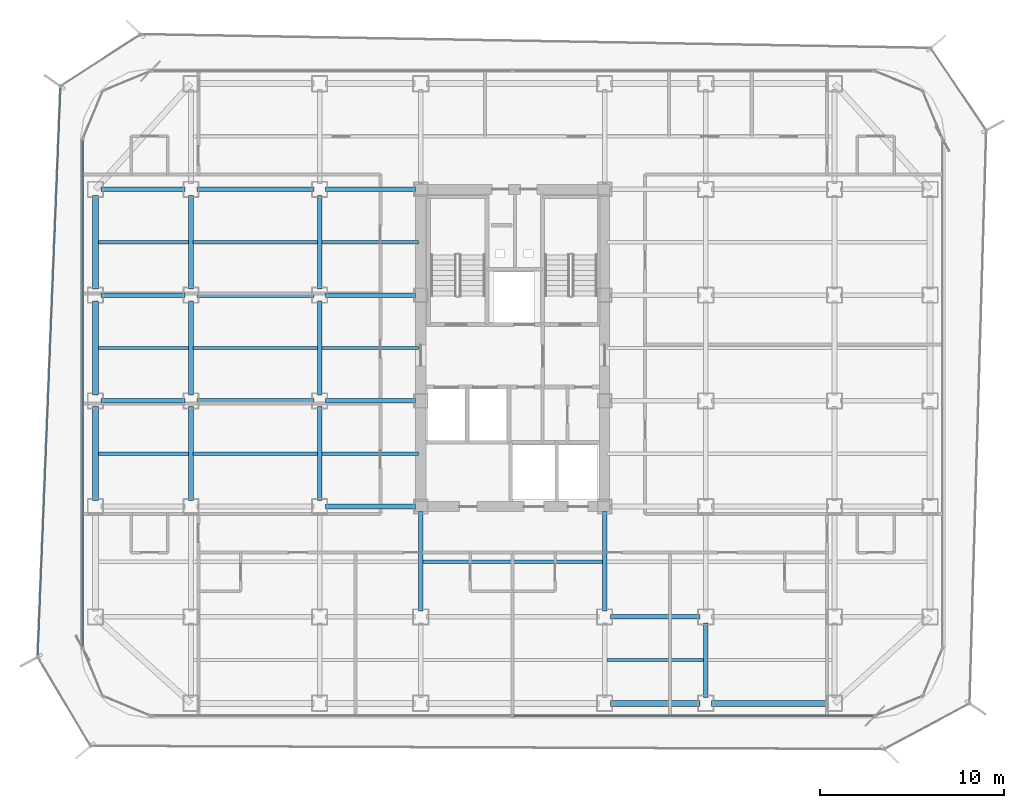
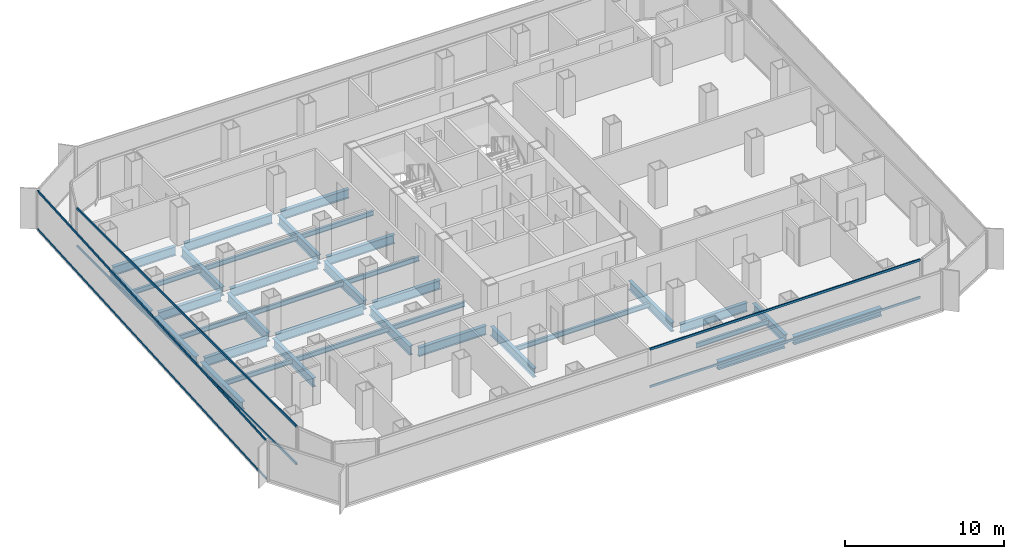
# One storey, part 5 of 21: 36 beams, 6 members, 3 elements without a shape of their own.
"""IFC4 building model written with IfcOpenShell, lengths in metres."""

from ifc_helpers import new_model, si_unit, direction, frame, origin, origin_2d, place, context, subcontext, project, spatial, hollow_rectangle, i_section, extrude, source, transform, mapped, material, layer, layer_set, material_profile, profile_set, type_object, element, aggregate, save


model = new_model("IFC4")

# Units and contexts
model_context = context("Model", 3, precision=1e-05, world=origin(), true_north=direction((0.0, 1.0)))
body_context = subcontext(model_context, "Body", "Model", "MODEL_VIEW")
ifc_project = project(units=[si_unit("LENGTHUNIT", "METRE"), si_unit("AREAUNIT", "SQUARE_METRE"), si_unit("VOLUMEUNIT", "CUBIC_METRE"), si_unit("PLANEANGLEUNIT", "RADIAN"), si_unit("MASSUNIT", "GRAM", prefix="KILO")], contexts=[model_context])

# Site, building, storey
site_placement = place(None, origin())
site = spatial("IfcSite", under=ifc_project, at=site_placement, CompositionType="ELEMENT")
building_placement = place(site_placement, origin())
building = spatial("IfcBuilding", under=site, at=building_placement, Name="Kolveth Station Tower", CompositionType="ELEMENT")
storey_placement = place(building_placement, frame((0.0, 0.0, 108.699951171875)))
storey = spatial("IfcBuildingStorey", under=building, at=storey_placement, Name="L29", CompositionType="ELEMENT", Elevation=108.699951171875)

# Beams
ifc_material_1 = material(Name="Steel S355", Category="steel")
ifc_material_profile_1 = material_profile(ifc_material_1, i_section(OverallWidth=0.323974609375, OverallDepth=0.611083984375, WebThickness=0.0126953125, FlangeThickness=0.01904296875, at=origin_2d()), Name="W610x155")
ifc_profile_set_1 = profile_set([ifc_material_profile_1], Name="Steel S355")
beam_type_1 = type_object("IfcBeamType", Name="Beam_SP2", PredefinedType="SPANDREL", material=ifc_profile_set_1)
shared_shape_1 = source(origin(), body_context, "Body", "SweptSolid", [
    extrude(i_section(OverallWidth=0.323974609375, OverallDepth=0.611083984375, WebThickness=0.0126953125, FlangeThickness=0.01904296875, at=origin_2d()), origin(), (0.0, 0.0, 1.0), 6.35986328125),
])
beam_1_placement = place(storey_placement, frame((34.320068359375, 0.800048828125, -0.555419921875), z_axis=(1.0, 0.0, 0.0), x_axis=(0.0, 1.0, 0.0)))
element("IfcBeam", 1, at=beam_1_placement, inside=storey, type_object=beam_type_1, Name="L29 Perimeter Spandrel BM-L29-PS-5", PredefinedType="SPANDREL", context=body_context, shape_type="MappedRepresentation", body=[
    mapped(shared_shape_1, transform((0.0, 0.0, 0.0), x_axis=(1.0, 0.0, 0.0), y_axis=(0.0, 1.0, 0.0), z_axis=(0.0, 0.0, 1.0), scale=1.0)),
])
shared_shape_2 = source(origin(), body_context, "Body", "SweptSolid", [
    extrude(i_section(OverallWidth=0.323974609375, OverallDepth=0.611083984375, WebThickness=0.0126953125, FlangeThickness=0.01904296875, at=origin_2d()), origin(), (0.0, 0.0, 1.0), 4.85986328125),
])
beam_2_placement = place(storey_placement, frame((28.820068359375, 0.800048828125, -0.555419921875), z_axis=(1.0, 0.0, 0.0), x_axis=(0.0, 1.0, 0.0)))
element("IfcBeam", 2, at=beam_2_placement, inside=storey, type_object=beam_type_1, Name="L29 Perimeter Spandrel BM-L29-PS-4", PredefinedType="SPANDREL", context=body_context, shape_type="MappedRepresentation", body=[
    mapped(shared_shape_2, transform((0.0, 0.0, 0.0), x_axis=(1.0, 0.0, 0.0), y_axis=(0.0, 1.0, 0.0), z_axis=(0.0, 0.0, 1.0), scale=1.0)),
])
shared_shape_3 = source(origin(), body_context, "Body", "SweptSolid", [
    extrude(i_section(OverallWidth=0.323974609375, OverallDepth=0.611083984375, WebThickness=0.0126953125, FlangeThickness=0.01904296875, at=origin_2d()), origin(), (0.0, 0.0, 1.0), 5.10986328125),
])
for number, where, z_axis, x_axis, name in (
    (3, (0.800048828125, 11.820068359375, -0.555419921875), (0.0, 1.0, 0.0), (-1.0, 0.0, 0.0), "L29 Perimeter Spandrel BM-L29-PW-2"),
    (4, (0.800048828125, 17.570068359375, -0.555419921875), (0.0, 1.0, 0.0), (-1.0, 0.0, 0.0), "L29 Perimeter Spandrel BM-L29-PW-3"),
    (5, (0.800048828125, 23.320068359375, -0.555419921875), (0.0, 1.0, 0.0), (-1.0, 0.0, 0.0), "L29 Perimeter Spandrel BM-L29-PW-4"),
):
    element("IfcBeam", number, at=place(storey_placement, frame(where, z_axis=z_axis, x_axis=x_axis)), inside=storey, type_object=beam_type_1, Name=name, PredefinedType="SPANDREL", context=body_context, shape_type="MappedRepresentation", body=[
        mapped(shared_shape_3, transform((0.0, 0.0, 0.0), x_axis=(1.0, 0.0, 0.0), y_axis=(0.0, 1.0, 0.0), z_axis=(0.0, 0.0, 1.0), scale=1.0)),
    ])
ifc_material_profile_2 = material_profile(ifc_material_1, i_section(OverallWidth=0.25390625, OverallDepth=0.68798828125, WebThickness=0.01318359375, FlangeThickness=0.02099609375, at=origin_2d()), Name="W690x152")
ifc_profile_set_2 = profile_set([ifc_material_profile_2], Name="Steel S355")
beam_type_2 = type_object("IfcBeamType", Name="Beam_B4", PredefinedType="BEAM", material=ifc_profile_set_2)
shared_shape_4 = source(origin(), body_context, "Body", "SweptSolid", [
    extrude(i_section(OverallWidth=0.25390625, OverallDepth=0.68798828125, WebThickness=0.01318359375, FlangeThickness=0.02099609375, at=origin_2d()), origin(), (0.0, 0.0, 1.0), 4.559814453125),
])
for number, where, z_axis, x_axis, name in (
    (6, (1.1201171875, 17.25, -0.593994140625), (1.0, 0.0, 0.0), (0.0, 1.0, 0.0), "L29 Primary Girder BM-L29-GY172-1"),
    (7, (1.1201171875, 23.0, -0.593994140625), (1.0, 0.0, 0.0), (0.0, 1.0, 0.0), "L29 Primary Girder BM-L29-GY230-1"),
    (8, (1.1201171875, 28.75, -0.593994140625), (1.0, 0.0, 0.0), (0.0, 1.0, 0.0), "L29 Primary Girder BM-L29-GY287-1"),
):
    element("IfcBeam", number, at=place(storey_placement, frame(where, z_axis=z_axis, x_axis=x_axis)), inside=storey, type_object=beam_type_2, Name=name, PredefinedType="BEAM", context=body_context, shape_type="MappedRepresentation", body=[
        mapped(shared_shape_4, transform((0.0, 0.0, 0.0), x_axis=(1.0, 0.0, 0.0), y_axis=(0.0, 1.0, 0.0), z_axis=(0.0, 0.0, 1.0), scale=1.0)),
    ])
shared_shape_5 = source(origin(), body_context, "Body", "SweptSolid", [
    extrude(i_section(OverallWidth=0.25390625, OverallDepth=0.68798828125, WebThickness=0.01318359375, FlangeThickness=0.02099609375, at=origin_2d()), origin(), (0.0, 0.0, 1.0), 6.35986328125),
])
for number, where, z_axis, x_axis, name in (
    (9, (6.320068359375, 17.25, -0.593994140625), (1.0, 0.0, 0.0), (0.0, 1.0, 0.0), "L29 Primary Girder BM-L29-GY172-2"),
    (10, (6.320068359375, 23.0, -0.593994140625), (1.0, 0.0, 0.0), (0.0, 1.0, 0.0), "L29 Primary Girder BM-L29-GY230-2"),
    (11, (6.320068359375, 28.75, -0.593994140625), (1.0, 0.0, 0.0), (0.0, 1.0, 0.0), "L29 Primary Girder BM-L29-GY287-2"),
):
    element("IfcBeam", number, at=place(storey_placement, frame(where, z_axis=z_axis, x_axis=x_axis)), inside=storey, type_object=beam_type_2, Name=name, PredefinedType="BEAM", context=body_context, shape_type="MappedRepresentation", body=[
        mapped(shared_shape_5, transform((0.0, 0.0, 0.0), x_axis=(1.0, 0.0, 0.0), y_axis=(0.0, 1.0, 0.0), z_axis=(0.0, 0.0, 1.0), scale=1.0)),
    ])
shared_shape_6 = source(origin(), body_context, "Body", "SweptSolid", [
    extrude(i_section(OverallWidth=0.25390625, OverallDepth=0.68798828125, WebThickness=0.01318359375, FlangeThickness=0.02099609375, at=origin_2d()), origin(), (0.0, 0.0, 1.0), 4.85986328125),
])
beam_3_placement = place(storey_placement, frame((28.820068359375, 5.5, -0.593994140625), z_axis=(1.0, 0.0, 0.0), x_axis=(0.0, 1.0, 0.0)))
element("IfcBeam", 12, at=beam_3_placement, inside=storey, type_object=beam_type_2, Name="L29 Primary Girder BM-L29-GY55-5", PredefinedType="BEAM", context=body_context, shape_type="MappedRepresentation", body=[
    mapped(shared_shape_6, transform((0.0, 0.0, 0.0), x_axis=(1.0, 0.0, 0.0), y_axis=(0.0, 1.0, 0.0), z_axis=(0.0, 0.0, 1.0), scale=1.0)),
])
shared_shape_7 = source(origin(), body_context, "Body", "SweptSolid", [
    extrude(i_section(OverallWidth=0.25390625, OverallDepth=0.68798828125, WebThickness=0.01318359375, FlangeThickness=0.02099609375, at=origin_2d()), origin(), (0.0, 0.0, 1.0), 4.89990234375),
])
for number, where, z_axis, x_axis, name in (
    (13, (13.320068359375, 11.5, -0.593994140625), (1.0, 0.0, 0.0), (0.0, 1.0, 0.0), "L29 Primary Girder BM-L29-GY115-3"),
    (14, (13.320068359375, 17.25, -0.593994140625), (1.0, 0.0, 0.0), (0.0, 1.0, 0.0), "L29 Primary Girder BM-L29-GY172-3"),
    (15, (13.320068359375, 23.0, -0.593994140625), (1.0, 0.0, 0.0), (0.0, 1.0, 0.0), "L29 Primary Girder BM-L29-GY230-3"),
    (16, (13.320068359375, 28.75, -0.593994140625), (1.0, 0.0, 0.0), (0.0, 1.0, 0.0), "L29 Primary Girder BM-L29-GY287-3"),
):
    element("IfcBeam", number, at=place(storey_placement, frame(where, z_axis=z_axis, x_axis=x_axis)), inside=storey, type_object=beam_type_2, Name=name, PredefinedType="BEAM", context=body_context, shape_type="MappedRepresentation", body=[
        mapped(shared_shape_7, transform((0.0, 0.0, 0.0), x_axis=(1.0, 0.0, 0.0), y_axis=(0.0, 1.0, 0.0), z_axis=(0.0, 0.0, 1.0), scale=1.0)),
    ])
shared_shape_8 = source(origin(), body_context, "Body", "SweptSolid", [
    extrude(i_section(OverallWidth=0.25390625, OverallDepth=0.68798828125, WebThickness=0.01318359375, FlangeThickness=0.02099609375, at=origin_2d()), origin(), (0.0, 0.0, 1.0), 4.059814453125),
])
beam_4_placement = place(storey_placement, frame((34.0, 1.1201171875, -0.593994140625), z_axis=(0.0, 1.0, 0.0), x_axis=(-1.0, 0.0, 0.0)))
element("IfcBeam", 17, at=beam_4_placement, inside=storey, type_object=beam_type_2, Name="L29 Primary Girder BM-L29-GX340-1", PredefinedType="BEAM", context=body_context, shape_type="MappedRepresentation", body=[
    mapped(shared_shape_8, transform((0.0, 0.0, 0.0), x_axis=(1.0, 0.0, 0.0), y_axis=(0.0, 1.0, 0.0), z_axis=(0.0, 0.0, 1.0), scale=1.0)),
])
shared_shape_9 = source(origin(), body_context, "Body", "SweptSolid", [
    extrude(i_section(OverallWidth=0.25390625, OverallDepth=0.68798828125, WebThickness=0.01318359375, FlangeThickness=0.02099609375, at=origin_2d()), origin(), (0.0, 0.0, 1.0), 5.10986328125),
])
for number, where, z_axis, x_axis, name in (
    (18, (6.0, 11.820068359375, -0.593994140625), (0.0, 1.0, 0.0), (-1.0, 0.0, 0.0), "L29 Primary Girder BM-L29-GX60-3"),
    (19, (6.0, 17.570068359375, -0.593994140625), (0.0, 1.0, 0.0), (-1.0, 0.0, 0.0), "L29 Primary Girder BM-L29-GX60-4"),
    (20, (6.0, 23.320068359375, -0.593994140625), (0.0, 1.0, 0.0), (-1.0, 0.0, 0.0), "L29 Primary Girder BM-L29-GX60-5"),
    (21, (13.0, 11.820068359375, -0.593994140625), (0.0, 1.0, 0.0), (-1.0, 0.0, 0.0), "L29 Primary Girder BM-L29-GX130-3"),
    (22, (13.0, 17.570068359375, -0.593994140625), (0.0, 1.0, 0.0), (-1.0, 0.0, 0.0), "L29 Primary Girder BM-L29-GX130-4"),
    (23, (13.0, 23.320068359375, -0.593994140625), (0.0, 1.0, 0.0), (-1.0, 0.0, 0.0), "L29 Primary Girder BM-L29-GX130-5"),
):
    element("IfcBeam", number, at=place(storey_placement, frame(where, z_axis=z_axis, x_axis=x_axis)), inside=storey, type_object=beam_type_2, Name=name, PredefinedType="BEAM", context=body_context, shape_type="MappedRepresentation", body=[
        mapped(shared_shape_9, transform((0.0, 0.0, 0.0), x_axis=(1.0, 0.0, 0.0), y_axis=(0.0, 1.0, 0.0), z_axis=(0.0, 0.0, 1.0), scale=1.0)),
    ])
shared_shape_10 = source(origin(), body_context, "Body", "SweptSolid", [
    extrude(i_section(OverallWidth=0.25390625, OverallDepth=0.68798828125, WebThickness=0.01318359375, FlangeThickness=0.02099609375, at=origin_2d()), origin(), (0.0, 0.0, 1.0), 5.39990234375),
])
for number, where, z_axis, x_axis, name in (
    (24, (18.5, 5.820068359375, -0.593994140625), (0.0, 1.0, 0.0), (-1.0, 0.0, 0.0), "L29 Primary Girder BM-L29-GX185-2"),
    (25, (28.5, 5.820068359375, -0.593994140625), (0.0, 1.0, 0.0), (-1.0, 0.0, 0.0), "L29 Primary Girder BM-L29-GX285-2"),
):
    element("IfcBeam", number, at=place(storey_placement, frame(where, z_axis=z_axis, x_axis=x_axis)), inside=storey, type_object=beam_type_2, Name=name, PredefinedType="BEAM", context=body_context, shape_type="MappedRepresentation", body=[
        mapped(shared_shape_10, transform((0.0, 0.0, 0.0), x_axis=(1.0, 0.0, 0.0), y_axis=(0.0, 1.0, 0.0), z_axis=(0.0, 0.0, 1.0), scale=1.0)),
    ])
ifc_material_profile_3 = material_profile(ifc_material_1, i_section(OverallWidth=0.1708984375, OverallDepth=0.35205078125, WebThickness=0.0068359375, FlangeThickness=0.009765625, at=origin_2d()), Name="W360x44")
ifc_profile_set_3 = profile_set([ifc_material_profile_3], Name="Steel S355")
beam_type_3 = type_object("IfcBeamType", Name="Beam_J2", PredefinedType="JOIST", material=ifc_profile_set_3)
shared_shape_11 = source(origin(), body_context, "Body", "SweptSolid", [
    extrude(i_section(OverallWidth=0.1708984375, OverallDepth=0.35205078125, WebThickness=0.0068359375, FlangeThickness=0.009765625, at=origin_2d()), origin(), (0.0, 0.0, 1.0), 4.9150390625),
])
for number, where, z_axis, x_axis, name in (
    (26, (0.9599609375, 14.375, -0.426025390625), (1.0, 0.0, 0.0), (0.0, 1.0, 0.0), "L29 Secondary Joist JST-L29-1-3"),
    (27, (0.9599609375, 20.125, -0.426025390625), (1.0, 0.0, 0.0), (0.0, 1.0, 0.0), "L29 Secondary Joist JST-L29-1-4"),
    (28, (0.9599609375, 25.875, -0.426025390625), (1.0, 0.0, 0.0), (0.0, 1.0, 0.0), "L29 Secondary Joist JST-L29-1-5"),
):
    element("IfcBeam", number, at=place(storey_placement, frame(where, z_axis=z_axis, x_axis=x_axis)), inside=storey, type_object=beam_type_3, Name=name, PredefinedType="JOIST", context=body_context, shape_type="MappedRepresentation", body=[
        mapped(shared_shape_11, transform((0.0, 0.0, 0.0), x_axis=(1.0, 0.0, 0.0), y_axis=(0.0, 1.0, 0.0), z_axis=(0.0, 0.0, 1.0), scale=1.0)),
    ])
shared_shape_12 = source(origin(), body_context, "Body", "SweptSolid", [
    extrude(i_section(OverallWidth=0.1708984375, OverallDepth=0.35205078125, WebThickness=0.0068359375, FlangeThickness=0.009765625, at=origin_2d()), origin(), (0.0, 0.0, 1.0), 6.75),
])
for number, where, z_axis, x_axis, name in (
    (29, (6.125, 14.375, -0.426025390625), (1.0, 0.0, 0.0), (0.0, 1.0, 0.0), "L29 Secondary Joist JST-L29-2-3"),
    (30, (6.125, 20.125, -0.426025390625), (1.0, 0.0, 0.0), (0.0, 1.0, 0.0), "L29 Secondary Joist JST-L29-2-4"),
    (31, (6.125, 25.875, -0.426025390625), (1.0, 0.0, 0.0), (0.0, 1.0, 0.0), "L29 Secondary Joist JST-L29-2-5"),
):
    element("IfcBeam", number, at=place(storey_placement, frame(where, z_axis=z_axis, x_axis=x_axis)), inside=storey, type_object=beam_type_3, Name=name, PredefinedType="JOIST", context=body_context, shape_type="MappedRepresentation", body=[
        mapped(shared_shape_12, transform((0.0, 0.0, 0.0), x_axis=(1.0, 0.0, 0.0), y_axis=(0.0, 1.0, 0.0), z_axis=(0.0, 0.0, 1.0), scale=1.0)),
    ])
shared_shape_13 = source(origin(), body_context, "Body", "SweptSolid", [
    extrude(i_section(OverallWidth=0.1708984375, OverallDepth=0.35205078125, WebThickness=0.0068359375, FlangeThickness=0.009765625, at=origin_2d()), origin(), (0.0, 0.0, 1.0), 5.25),
])
for number, where, z_axis, x_axis, name in (
    (32, (13.125, 14.375, -0.426025390625), (1.0, 0.0, 0.0), (0.0, 1.0, 0.0), "L29 Secondary Joist JST-L29-3-3"),
    (33, (13.125, 20.125, -0.426025390625), (1.0, 0.0, 0.0), (0.0, 1.0, 0.0), "L29 Secondary Joist JST-L29-3-4"),
    (34, (13.125, 25.875, -0.426025390625), (1.0, 0.0, 0.0), (0.0, 1.0, 0.0), "L29 Secondary Joist JST-L29-3-5"),
    (35, (28.625, 3.14990234375, -0.426025390625), (1.0, 0.0, 0.0), (0.0, 1.0, 0.0), "L29 Secondary Joist JST-L29-5-1"),
):
    element("IfcBeam", number, at=place(storey_placement, frame(where, z_axis=z_axis, x_axis=x_axis)), inside=storey, type_object=beam_type_3, Name=name, PredefinedType="JOIST", context=body_context, shape_type="MappedRepresentation", body=[
        mapped(shared_shape_13, transform((0.0, 0.0, 0.0), x_axis=(1.0, 0.0, 0.0), y_axis=(0.0, 1.0, 0.0), z_axis=(0.0, 0.0, 1.0), scale=1.0)),
    ])
shared_shape_14 = source(origin(), body_context, "Body", "SweptSolid", [
    extrude(i_section(OverallWidth=0.1708984375, OverallDepth=0.35205078125, WebThickness=0.0068359375, FlangeThickness=0.009765625, at=origin_2d()), origin(), (0.0, 0.0, 1.0), 9.75),
])
beam_5_placement = place(storey_placement, frame((18.625, 8.5, -0.426025390625), z_axis=(1.0, 0.0, 0.0), x_axis=(0.0, 1.0, 0.0)))
element("IfcBeam", 36, at=beam_5_placement, inside=storey, type_object=beam_type_3, Name="L29 Secondary Joist JST-L29-4-2", PredefinedType="JOIST", context=body_context, shape_type="MappedRepresentation", body=[
    mapped(shared_shape_14, transform((0.0, 0.0, 0.0), x_axis=(1.0, 0.0, 0.0), y_axis=(0.0, 1.0, 0.0), z_axis=(0.0, 0.0, 1.0), scale=1.0)),
])

# Curtain wall, members
ifc_material_2 = material(Name="Aluminium 6063-T6 and low-E dark glass", Category="aluminium")
ifc_layer_1 = layer(ifc_material_2, 0.18994140625)
ifc_layer_set_1 = layer_set([ifc_layer_1], Name="Aluminium 6063-T6 and low-E dark glass")
curtain_wall_type_1 = type_object("IfcCurtainWallType", Name="CurtainWall_CW-Z2", PredefinedType="NOTDEFINED", material=ifc_layer_set_1)
curtain_wall_1_placement = place(storey_placement, origin())
curtain_wall_1 = element("IfcCurtainWall", 37, at=curtain_wall_1_placement, inside=storey, type_object=curtain_wall_type_1, Name="L29 Inner Thermal Curtain Wall 9", PredefinedType="NOTDEFINED")
ifc_material_3 = material(Name="Black anodized aluminium 6063-T6", Category="aluminium")
ifc_material_profile_4 = material_profile(ifc_material_3, hollow_rectangle(XDim=0.080078125, YDim=0.169921875, WallThickness=0.0048828125, at=origin_2d()), Name="ALU-80x170x5")
ifc_profile_set_4 = profile_set([ifc_material_profile_4], Name="Black anodized aluminium 6063-T6")
member_type_1 = type_object("IfcMemberType", Name="Transom_TR2", PredefinedType="USERDEFINED", material=ifc_profile_set_4)
shared_shape_15 = source(origin(), body_context, "Body", "SweptSolid", [
    extrude(hollow_rectangle(XDim=0.080078125, YDim=0.169921875, WallThickness=0.0048828125, at=origin_2d()), origin(), (0.0, 0.0, 1.0), 27.5400390625),
])
member_1_placement = place(storey_placement, frame((0.1201171875, 31.419921875, 0.0400390625), z_axis=(0.0, -1.0, 0.0), x_axis=(1.0, 0.0, 0.0)))
member_1 = element("IfcMember", 38, at=member_1_placement, type_object=member_type_1, Name="CW-Z2 transom 1.1", ObjectType="TRANSOM", PredefinedType="USERDEFINED", context=body_context, shape_type="MappedRepresentation", body=[
    mapped(shared_shape_15, transform((0.0, 0.0, 0.0), x_axis=(1.0, 0.0, 0.0), y_axis=(0.0, 1.0, 0.0), z_axis=(0.0, 0.0, 1.0), scale=1.0)),
])
member_2_placement = place(storey_placement, frame((0.1201171875, 31.419921875, 2.91015625), z_axis=(0.0, -1.0, 0.0), x_axis=(1.0, 0.0, 0.0)))
member_2 = element("IfcMember", 39, at=member_2_placement, type_object=member_type_1, Name="CW-Z2 transom 1.2", ObjectType="TRANSOM", PredefinedType="USERDEFINED", context=body_context, shape_type="MappedRepresentation", body=[
    mapped(shared_shape_15, transform((0.0, 0.0, 0.0), x_axis=(1.0, 0.0, 0.0), y_axis=(0.0, 1.0, 0.0), z_axis=(0.0, 0.0, 1.0), scale=1.0)),
])
aggregate(curtain_wall_1, [member_1, member_2])

curtain_wall_2_placement = place(storey_placement, origin())
curtain_wall_2 = element("IfcCurtainWall", 40, at=curtain_wall_2_placement, inside=storey, type_object=curtain_wall_type_1, Name="L29 Inner Thermal Curtain Wall 12", PredefinedType="NOTDEFINED")
shared_shape_16 = source(origin(), body_context, "Body", "SweptSolid", [
    extrude(hollow_rectangle(XDim=0.080078125, YDim=0.169921875, WallThickness=0.0048828125, at=origin_2d()), origin(), (0.0, 0.0, 1.0), 19.580078125),
])
member_3_placement = place(storey_placement, frame((23.5400390625, 0.1201171875, 0.0400390625), z_axis=(1.0, 0.0, 0.0), x_axis=(0.0, 1.0, 0.0)))
member_3 = element("IfcMember", 41, at=member_3_placement, type_object=member_type_1, Name="CW-Z2 transom 2.1", ObjectType="TRANSOM", PredefinedType="USERDEFINED", context=body_context, shape_type="MappedRepresentation", body=[
    mapped(shared_shape_16, transform((0.0, 0.0, 0.0), x_axis=(1.0, 0.0, 0.0), y_axis=(0.0, 1.0, 0.0), z_axis=(0.0, 0.0, 1.0), scale=1.0)),
])
member_4_placement = place(storey_placement, frame((23.5400390625, 0.1201171875, 2.91015625), z_axis=(1.0, 0.0, 0.0), x_axis=(0.0, 1.0, 0.0)))
member_4 = element("IfcMember", 42, at=member_4_placement, type_object=member_type_1, Name="CW-Z2 transom 2.2", ObjectType="TRANSOM", PredefinedType="USERDEFINED", context=body_context, shape_type="MappedRepresentation", body=[
    mapped(shared_shape_16, transform((0.0, 0.0, 0.0), x_axis=(1.0, 0.0, 0.0), y_axis=(0.0, 1.0, 0.0), z_axis=(0.0, 0.0, 1.0), scale=1.0)),
])
aggregate(curtain_wall_2, [member_3, member_4])

ifc_material_4 = material(Name="Black anodized aluminium 6063-T6 and dark solar glass", Category="aluminium")
ifc_layer_2 = layer(ifc_material_4, 0.159912109375)
ifc_layer_set_2 = layer_set([ifc_layer_2], Name="Black anodized aluminium 6063-T6 and dark solar glass")
curtain_wall_type_2 = type_object("IfcCurtainWallType", Name="OUTER SKIN CW-OS", PredefinedType="NOTDEFINED", material=ifc_layer_set_2)
curtain_wall_3_placement = place(storey_placement, origin())
curtain_wall_3 = element("IfcCurtainWall", 43, at=curtain_wall_3_placement, inside=storey, type_object=curtain_wall_type_2, Name="L29 Outer Ventilated Skin Curtain Wall 6", PredefinedType="NOTDEFINED")
ifc_material_profile_5 = material_profile(ifc_material_3, hollow_rectangle(XDim=0.080078125, YDim=0.14990234375, WallThickness=0.0048828125, at=origin_2d()), Name="ALU-80x150x5")
ifc_profile_set_5 = profile_set([ifc_material_profile_5], Name="Black anodized aluminium 6063-T6")
member_type_2 = type_object("IfcMemberType", Name="Transom_TR-OS", PredefinedType="USERDEFINED", material=ifc_profile_set_5)
shared_shape_17 = source(origin(), body_context, "Body", "SweptSolid", [
    extrude(hollow_rectangle(XDim=0.080078125, YDim=0.14990234375, WallThickness=0.0048828125, at=origin_2d()), origin(), (0.0, 0.0, 1.0), 30.880615234375),
])
member_5_placement = place(storey_placement, frame((-1.094482421875, 34.271728515625, 0.0400390625), z_axis=(-0.040067494338, -0.999196975525, 0.0), x_axis=(0.999196975525, -0.040067494338, 0.0)))
member_5 = element("IfcMember", 44, at=member_5_placement, type_object=member_type_2, Name="CW-OS transom 1.1", ObjectType="TRANSOM", PredefinedType="USERDEFINED", context=body_context, shape_type="MappedRepresentation", body=[
    mapped(shared_shape_17, transform((0.0, 0.0, 0.0), x_axis=(1.0, 0.0, 0.0), y_axis=(0.0, 1.0, 0.0), z_axis=(0.0, 0.0, 1.0), scale=1.0)),
])
member_6_placement = place(storey_placement, frame((-1.094482421875, 34.271728515625, 2.949951171875), z_axis=(-0.040067494338, -0.999196975525, 0.0), x_axis=(0.999196975525, -0.040067494338, 0.0)))
member_6 = element("IfcMember", 45, at=member_6_placement, type_object=member_type_2, Name="CW-OS transom 1.2", ObjectType="TRANSOM", PredefinedType="USERDEFINED", context=body_context, shape_type="MappedRepresentation", body=[
    mapped(shared_shape_17, transform((0.0, 0.0, 0.0), x_axis=(1.0, 0.0, 0.0), y_axis=(0.0, 1.0, 0.0), z_axis=(0.0, 0.0, 1.0), scale=1.0)),
])
aggregate(curtain_wall_3, [member_5, member_6])

save(model, "model.ifc")
